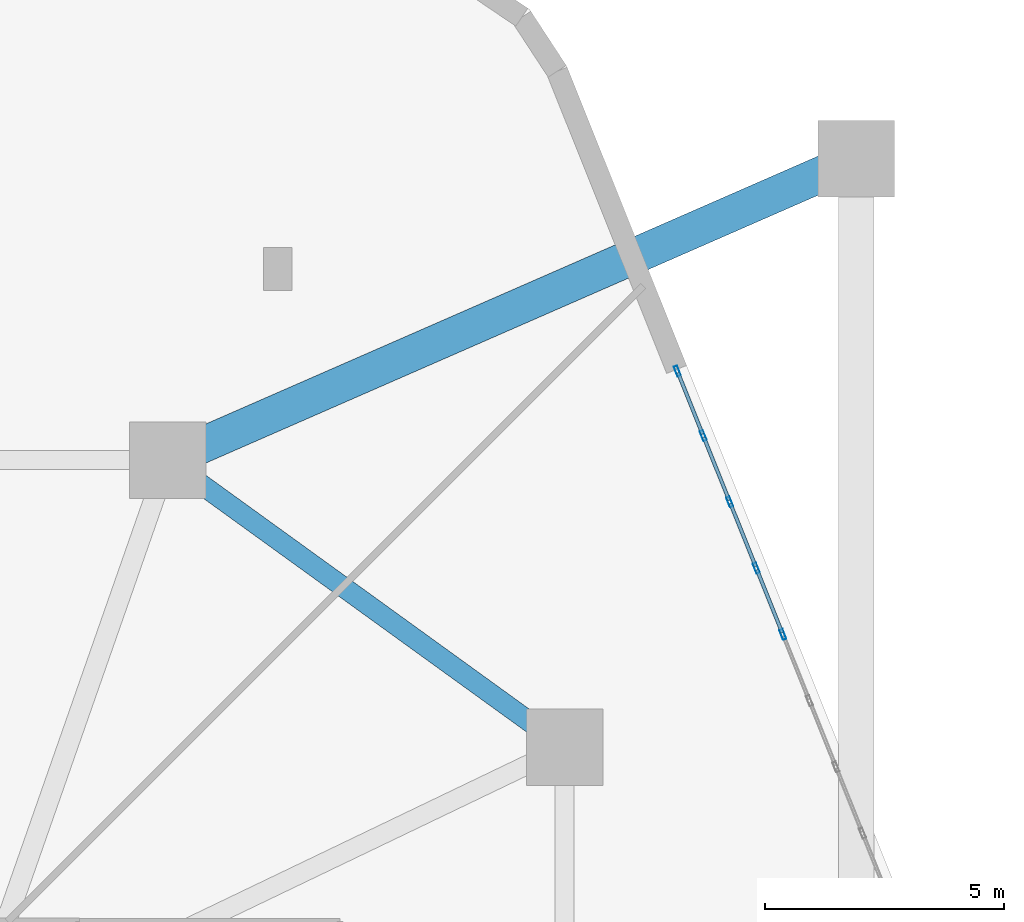
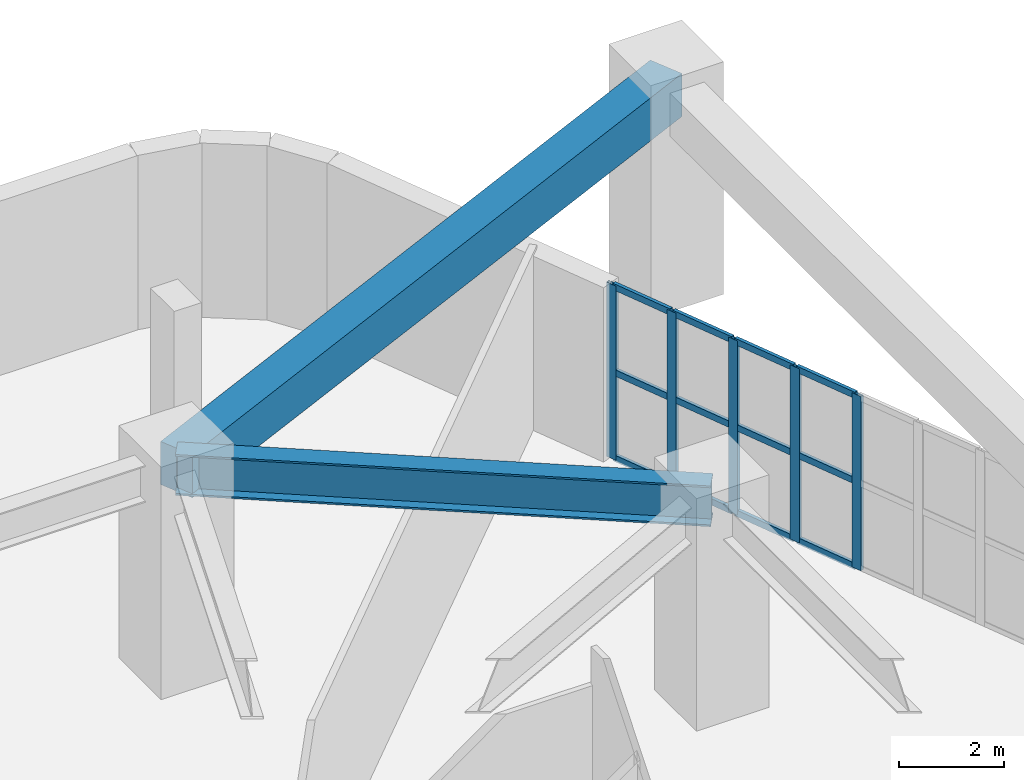
# One storey, part 24 of 34: 17 members, 2 beams, 1 element without a shape of its own.
"""IFC4 building model written with IfcOpenShell, lengths in metres."""

from ifc_helpers import new_model, si_unit, direction, frame, origin, origin_2d, place, context, subcontext, project, spatial, rectangle, hollow_rectangle, i_section, extrude, material, layer, layer_set, material_profile, profile_set, type_object, element, aggregate, save


model = new_model("IFC4")

# Units and contexts
model_context = context("Model", 3, precision=1e-05, world=origin(), true_north=direction((0.0, 1.0)))
body_context = subcontext(model_context, "Body", "Model", "MODEL_VIEW")
ifc_project = project(units=[si_unit("LENGTHUNIT", "METRE"), si_unit("AREAUNIT", "SQUARE_METRE"), si_unit("VOLUMEUNIT", "CUBIC_METRE"), si_unit("PLANEANGLEUNIT", "RADIAN"), si_unit("MASSUNIT", "GRAM", prefix="KILO")], contexts=[model_context])

# Site, building, storey
site_placement = place(None, origin())
site = spatial("IfcSite", under=ifc_project, at=site_placement, CompositionType="ELEMENT")
building_placement = place(site_placement, origin())
building = spatial("IfcBuilding", under=site, at=building_placement, Name="Kilnhurst Terrace Hotel", CompositionType="ELEMENT")
storey_placement = place(building_placement, frame((0.0, 0.0, 6.0)))
storey = spatial("IfcBuildingStorey", under=building, at=storey_placement, Name="L01", CompositionType="ELEMENT", Elevation=6.0)

# Beam
ifc_material_1 = material(Name="Steel ASTM A992 Grade 50", Category="steel")
ifc_material_profile_1 = material_profile(ifc_material_1, i_section(OverallWidth=0.423095703125, OverallDepth=0.9482421875, WebThickness=0.02392578125, FlangeThickness=0.042724609375, at=origin_2d()), Name="W36X302")
ifc_profile_set_1 = profile_set([ifc_material_profile_1], Name="Steel ASTM A992 Grade 50")
beam_type_1 = type_object("IfcBeamType", Name="BM-STL-W36X302", PredefinedType="BEAM", material=ifc_profile_set_1)
beam_1_placement = place(storey_placement, frame((13.199951171875, 19.5, 4.60595703125), z_axis=(0.810423314702, -0.585844732833, 0.0), x_axis=(0.585844732833, 0.810423314702, 0.0)))
element("IfcBeam", 1, at=beam_1_placement, inside=storey, type_object=beam_type_1, Name="L01 Podium Frame Beam 6", PredefinedType="BEAM", context=body_context, shape_type="SweptSolid", body=[
    extrude(i_section(OverallWidth=0.423095703125, OverallDepth=0.9482421875, WebThickness=0.02392578125, FlangeThickness=0.042724609375, at=origin_2d()), origin(), (0.0, 0.0, 1.0), 10.24169921875),
])

# Curtain wall, members
ifc_material_2 = material(Name="Anodized Aluminium Alloy 6063-T6 and Low-E Glass", Category="aluminium")
ifc_layer = layer(ifc_material_2, 0.219970703125, Name="Anodized Aluminium Alloy 6063-T6 and Low-E Glass")
ifc_layer_set = layer_set([ifc_layer], Name="Anodized Aluminium Alloy 6063-T6 and Low-E Glass")
curtain_wall_type = type_object("IfcCurtainWallType", Name="CW-POD-LOBBY", PredefinedType="NOTDEFINED", material=ifc_layer_set)
curtain_wall_placement = place(storey_placement, origin())
curtain_wall = element("IfcCurtainWall", 2, at=curtain_wall_placement, inside=storey, type_object=curtain_wall_type, Name="L01 Curtain Wall CW-L01-F3-1", PredefinedType="NOTDEFINED")
ifc_material_3 = material(Name="Extruded Aluminium Alloy 6063-T6", Category="aluminium")
ifc_material_profile_2 = material_profile(ifc_material_3, hollow_rectangle(XDim=0.074951171875, YDim=0.219970703125, WallThickness=0.00390625, at=origin_2d()), Name="CWM75X220")
ifc_profile_set_2 = profile_set([ifc_material_profile_2], Name="Extruded Aluminium Alloy 6063-T6")
member_type_1 = type_object("IfcMemberType", Name="MEM-CWM75X220", PredefinedType="MULLION", material=ifc_profile_set_2)
member_1_placement = place(storey_placement, frame((26.065673828125, 15.855224609375, 0.0), z_axis=(0.0, 0.0, 1.0), x_axis=(-0.928250672463, -0.371955224552, 0.0)))
member_1 = element("IfcMember", 3, at=member_1_placement, type_object=member_type_1, Name="CWL-1 mullion 6", PredefinedType="MULLION", context=body_context, shape_type="SweptSolid", body=[
    extrude(hollow_rectangle(XDim=0.074951171875, YDim=0.219970703125, WallThickness=0.00390625, at=origin_2d()), origin(), (0.0, 0.0, 1.0), 4.050048828125),
])
member_2_placement = place(storey_placement, frame((25.51025390625, 17.240966796875, 0.0), z_axis=(0.0, 0.0, 1.0), x_axis=(-0.928250672463, -0.371955224552, 0.0)))
member_2 = element("IfcMember", 4, at=member_2_placement, type_object=member_type_1, Name="CWL-1 mullion 7", PredefinedType="MULLION", context=body_context, shape_type="SweptSolid", body=[
    extrude(hollow_rectangle(XDim=0.074951171875, YDim=0.219970703125, WallThickness=0.00390625, at=origin_2d()), origin(), (0.0, 0.0, 1.0), 4.050048828125),
])
member_3_placement = place(storey_placement, frame((24.955078125, 18.626708984375, 0.0), z_axis=(0.0, 0.0, 1.0), x_axis=(-0.928250672463, -0.371955224552, 0.0)))
member_3 = element("IfcMember", 5, at=member_3_placement, type_object=member_type_1, Name="CWL-1 mullion 8", PredefinedType="MULLION", context=body_context, shape_type="SweptSolid", body=[
    extrude(hollow_rectangle(XDim=0.074951171875, YDim=0.219970703125, WallThickness=0.00390625, at=origin_2d()), origin(), (0.0, 0.0, 1.0), 4.050048828125),
])
member_4_placement = place(storey_placement, frame((24.399658203125, 20.012451171875, 0.0), z_axis=(0.0, 0.0, 1.0), x_axis=(-0.928250672463, -0.371955224552, 0.0)))
member_4 = element("IfcMember", 6, at=member_4_placement, type_object=member_type_1, Name="CWL-1 mullion 9", PredefinedType="MULLION", context=body_context, shape_type="SweptSolid", body=[
    extrude(hollow_rectangle(XDim=0.074951171875, YDim=0.219970703125, WallThickness=0.00390625, at=origin_2d()), origin(), (0.0, 0.0, 1.0), 4.050048828125),
])
member_5_placement = place(storey_placement, frame((23.8583984375, 21.363525390625, 0.0), z_axis=(0.0, 0.0, 1.0), x_axis=(-0.928250672463, -0.371955224552, 0.0)))
member_5 = element("IfcMember", 7, at=member_5_placement, type_object=member_type_1, Name="CWL-1 mullion 10", PredefinedType="MULLION", context=body_context, shape_type="SweptSolid", body=[
    extrude(hollow_rectangle(XDim=0.074951171875, YDim=0.219970703125, WallThickness=0.00390625, at=origin_2d()), origin(), (0.0, 0.0, 1.0), 4.050048828125),
])
ifc_material_profile_3 = material_profile(ifc_material_3, hollow_rectangle(XDim=0.074951171875, YDim=0.14990234375, WallThickness=0.00390625, at=origin_2d()), Name="CWT75X150")
ifc_profile_set_3 = profile_set([ifc_material_profile_3], Name="Extruded Aluminium Alloy 6063-T6")
member_type_2 = type_object("IfcMemberType", Name="MEM-CWT75X150", PredefinedType="USERDEFINED", material=ifc_profile_set_3)
member_6_placement = place(storey_placement, frame((26.051513671875, 15.889892578125, 0.03759765625), z_axis=(-0.371924989829, 0.928262787114, 0.0), x_axis=(-0.928262787114, -0.371924989829, 0.0)))
member_6 = element("IfcMember", 8, at=member_6_placement, type_object=member_type_2, Name="CWL-1 transom 6.1", ObjectType="TRANSOM", PredefinedType="USERDEFINED", context=body_context, shape_type="SweptSolid", body=[
    extrude(hollow_rectangle(XDim=0.074951171875, YDim=0.14990234375, WallThickness=0.00390625, at=origin_2d()), origin(), (0.0, 0.0, 1.0), 1.41796875),
])
member_7_placement = place(storey_placement, frame((26.051513671875, 15.889892578125, 2.02490234375), z_axis=(-0.371924989829, 0.928262787114, 0.0), x_axis=(-0.928262787114, -0.371924989829, 0.0)))
member_7 = element("IfcMember", 9, at=member_7_placement, type_object=member_type_2, Name="CWL-1 transom 6.2", ObjectType="TRANSOM", PredefinedType="USERDEFINED", context=body_context, shape_type="SweptSolid", body=[
    extrude(hollow_rectangle(XDim=0.074951171875, YDim=0.14990234375, WallThickness=0.00390625, at=origin_2d()), origin(), (0.0, 0.0, 1.0), 1.41796875),
])
member_8_placement = place(storey_placement, frame((26.051513671875, 15.889892578125, 4.012451171875), z_axis=(-0.371924989829, 0.928262787114, 0.0), x_axis=(-0.928262787114, -0.371924989829, 0.0)))
member_8 = element("IfcMember", 10, at=member_8_placement, type_object=member_type_2, Name="CWL-1 transom 6.3", ObjectType="TRANSOM", PredefinedType="USERDEFINED", context=body_context, shape_type="SweptSolid", body=[
    extrude(hollow_rectangle(XDim=0.074951171875, YDim=0.14990234375, WallThickness=0.00390625, at=origin_2d()), origin(), (0.0, 0.0, 1.0), 1.41796875),
])
member_9_placement = place(storey_placement, frame((25.496337890625, 17.27587890625, 0.03759765625), z_axis=(-0.371924989829, 0.928262787114, 0.0), x_axis=(-0.928262787114, -0.371924989829, 0.0)))
member_9 = element("IfcMember", 11, at=member_9_placement, type_object=member_type_2, Name="CWL-1 transom 7.1", ObjectType="TRANSOM", PredefinedType="USERDEFINED", context=body_context, shape_type="SweptSolid", body=[
    extrude(hollow_rectangle(XDim=0.074951171875, YDim=0.14990234375, WallThickness=0.00390625, at=origin_2d()), origin(), (0.0, 0.0, 1.0), 1.41796875),
])
member_10_placement = place(storey_placement, frame((25.496337890625, 17.27587890625, 2.02490234375), z_axis=(-0.371924989829, 0.928262787114, 0.0), x_axis=(-0.928262787114, -0.371924989829, 0.0)))
member_10 = element("IfcMember", 12, at=member_10_placement, type_object=member_type_2, Name="CWL-1 transom 7.2", ObjectType="TRANSOM", PredefinedType="USERDEFINED", context=body_context, shape_type="SweptSolid", body=[
    extrude(hollow_rectangle(XDim=0.074951171875, YDim=0.14990234375, WallThickness=0.00390625, at=origin_2d()), origin(), (0.0, 0.0, 1.0), 1.41796875),
])
member_11_placement = place(storey_placement, frame((25.496337890625, 17.27587890625, 4.012451171875), z_axis=(-0.371924989829, 0.928262787114, 0.0), x_axis=(-0.928262787114, -0.371924989829, 0.0)))
member_11 = element("IfcMember", 13, at=member_11_placement, type_object=member_type_2, Name="CWL-1 transom 7.3", ObjectType="TRANSOM", PredefinedType="USERDEFINED", context=body_context, shape_type="SweptSolid", body=[
    extrude(hollow_rectangle(XDim=0.074951171875, YDim=0.14990234375, WallThickness=0.00390625, at=origin_2d()), origin(), (0.0, 0.0, 1.0), 1.41796875),
])
member_12_placement = place(storey_placement, frame((24.94091796875, 18.66162109375, 0.03759765625), z_axis=(-0.371924989829, 0.928262787114, 0.0), x_axis=(-0.928262787114, -0.371924989829, 0.0)))
member_12 = element("IfcMember", 14, at=member_12_placement, type_object=member_type_2, Name="CWL-1 transom 8.1", ObjectType="TRANSOM", PredefinedType="USERDEFINED", context=body_context, shape_type="SweptSolid", body=[
    extrude(hollow_rectangle(XDim=0.074951171875, YDim=0.14990234375, WallThickness=0.00390625, at=origin_2d()), origin(), (0.0, 0.0, 1.0), 1.41796875),
])
member_13_placement = place(storey_placement, frame((24.94091796875, 18.66162109375, 2.02490234375), z_axis=(-0.371924989829, 0.928262787114, 0.0), x_axis=(-0.928262787114, -0.371924989829, 0.0)))
member_13 = element("IfcMember", 15, at=member_13_placement, type_object=member_type_2, Name="CWL-1 transom 8.2", ObjectType="TRANSOM", PredefinedType="USERDEFINED", context=body_context, shape_type="SweptSolid", body=[
    extrude(hollow_rectangle(XDim=0.074951171875, YDim=0.14990234375, WallThickness=0.00390625, at=origin_2d()), origin(), (0.0, 0.0, 1.0), 1.41796875),
])
member_14_placement = place(storey_placement, frame((24.94091796875, 18.66162109375, 4.012451171875), z_axis=(-0.371924989829, 0.928262787114, 0.0), x_axis=(-0.928262787114, -0.371924989829, 0.0)))
member_14 = element("IfcMember", 16, at=member_14_placement, type_object=member_type_2, Name="CWL-1 transom 8.3", ObjectType="TRANSOM", PredefinedType="USERDEFINED", context=body_context, shape_type="SweptSolid", body=[
    extrude(hollow_rectangle(XDim=0.074951171875, YDim=0.14990234375, WallThickness=0.00390625, at=origin_2d()), origin(), (0.0, 0.0, 1.0), 1.41796875),
])
member_15_placement = place(storey_placement, frame((24.3857421875, 20.04736328125, 0.03759765625), z_axis=(-0.371970025099, 0.928244741664, 0.0), x_axis=(-0.928244741664, -0.371970025099, 0.0)))
member_15 = element("IfcMember", 17, at=member_15_placement, type_object=member_type_2, Name="CWL-1 transom 9.1", ObjectType="TRANSOM", PredefinedType="USERDEFINED", context=body_context, shape_type="SweptSolid", body=[
    extrude(hollow_rectangle(XDim=0.074951171875, YDim=0.14990234375, WallThickness=0.00390625, at=origin_2d()), origin(), (0.0, 0.0, 1.0), 1.38037109375),
])
member_16_placement = place(storey_placement, frame((24.3857421875, 20.04736328125, 2.02490234375), z_axis=(-0.371970025099, 0.928244741664, 0.0), x_axis=(-0.928244741664, -0.371970025099, 0.0)))
member_16 = element("IfcMember", 18, at=member_16_placement, type_object=member_type_2, Name="CWL-1 transom 9.2", ObjectType="TRANSOM", PredefinedType="USERDEFINED", context=body_context, shape_type="SweptSolid", body=[
    extrude(hollow_rectangle(XDim=0.074951171875, YDim=0.14990234375, WallThickness=0.00390625, at=origin_2d()), origin(), (0.0, 0.0, 1.0), 1.38037109375),
])
member_17_placement = place(storey_placement, frame((24.3857421875, 20.04736328125, 4.012451171875), z_axis=(-0.371970025099, 0.928244741664, 0.0), x_axis=(-0.928244741664, -0.371970025099, 0.0)))
member_17 = element("IfcMember", 19, at=member_17_placement, type_object=member_type_2, Name="CWL-1 transom 9.3", ObjectType="TRANSOM", PredefinedType="USERDEFINED", context=body_context, shape_type="SweptSolid", body=[
    extrude(hollow_rectangle(XDim=0.074951171875, YDim=0.14990234375, WallThickness=0.00390625, at=origin_2d()), origin(), (0.0, 0.0, 1.0), 1.38037109375),
])
aggregate(curtain_wall, [member_1, member_2, member_3, member_4, member_5, member_6, member_7, member_8, member_9, member_10, member_11, member_12, member_13, member_14, member_15, member_16, member_17])

# Beam
ifc_material_4 = material(Name="Concrete C50/60", Category="concrete")
ifc_material_profile_4 = material_profile(ifc_material_4, rectangle(XDim=0.75, YDim=1.0, at=origin_2d()), Name="RC750X1000")
ifc_profile_set_4 = profile_set([ifc_material_profile_4], Name="Concrete C50/60")
beam_type_2 = type_object("IfcBeamType", Name="TBM-GAR-750X1000", PredefinedType="T_BEAM", material=ifc_profile_set_4)
beam_2_placement = place(storey_placement, frame((27.60009765625, 25.800048828125, 4.580078125), z_axis=(-0.916157691387, -0.400818019196, 0.0), x_axis=(0.400818019196, -0.916157691387, 0.0)))
element("IfcBeam", 20, at=beam_2_placement, inside=storey, type_object=beam_type_2, Name="L01 Outer Ring Tee Beam 6", PredefinedType="T_BEAM", context=body_context, shape_type="SweptSolid", body=[
    extrude(rectangle(XDim=0.75, YDim=1.0, at=origin_2d()), origin(), (0.0, 0.0, 1.0), 15.718017578125),
])

save(model, "model.ifc")
